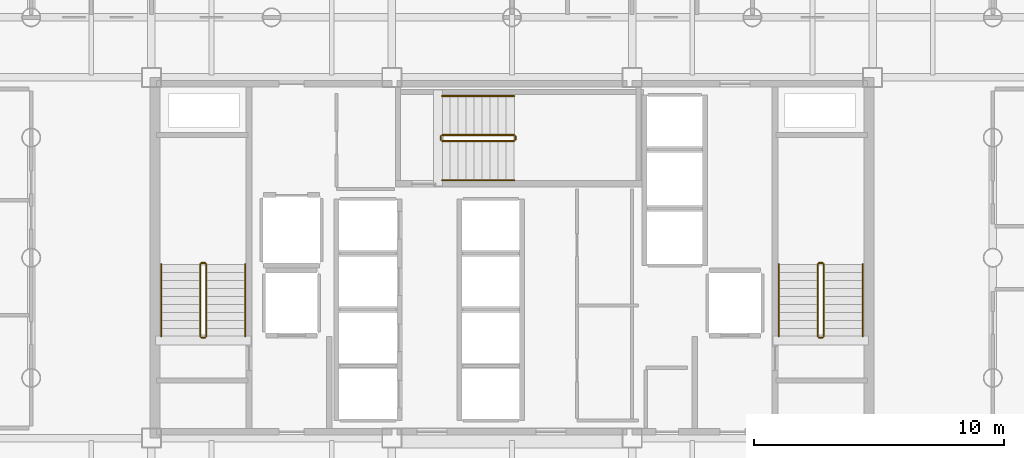
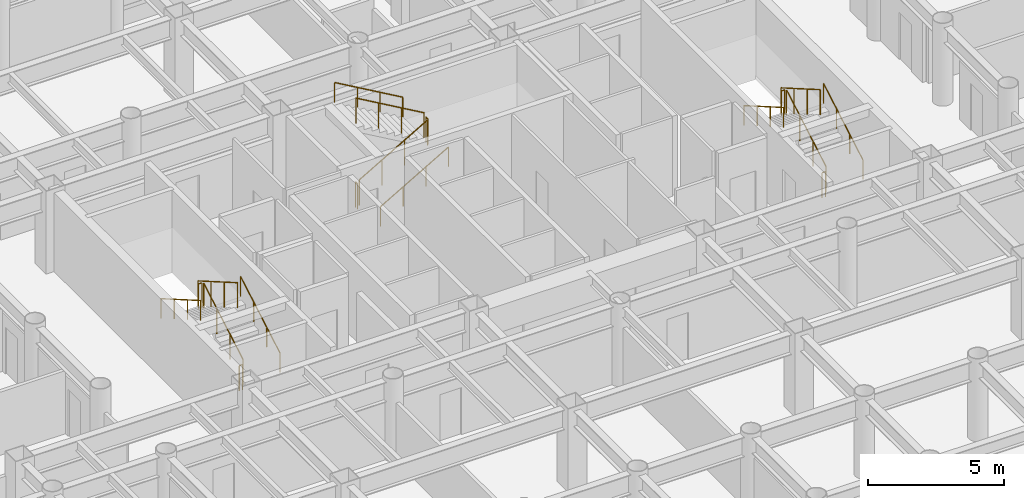
# One storey, part 19 of 19: 18 railings.
"""IFC4 building model written with IfcOpenShell, lengths in metres."""

from ifc_helpers import new_model, si_unit, direction, frame, origin, origin_2d, place, context, subcontext, project, spatial, circle, extrude, material, layer, layer_set, type_object, element, save


model = new_model("IFC4")

# Units and contexts
model_context = context("Model", 3, precision=1e-05, world=origin(), true_north=direction((0.0, 1.0)))
body_context = subcontext(model_context, "Body", "Model", "MODEL_VIEW")
ifc_project = project(units=[si_unit("LENGTHUNIT", "METRE"), si_unit("AREAUNIT", "SQUARE_METRE"), si_unit("VOLUMEUNIT", "CUBIC_METRE"), si_unit("PLANEANGLEUNIT", "RADIAN"), si_unit("MASSUNIT", "GRAM", prefix="KILO")], contexts=[model_context])

# Site, building, storey
site_placement = place(None, origin())
site = spatial("IfcSite", under=ifc_project, at=site_placement, CompositionType="ELEMENT")
building_placement = place(site_placement, origin())
building = spatial("IfcBuilding", under=site, at=building_placement, Name="Kallvorn Hotel Tower", CompositionType="ELEMENT")
storey_placement = place(building_placement, frame((0.0, 0.0, 67.0)))
storey = spatial("IfcBuildingStorey", under=building, at=storey_placement, Name="L15", CompositionType="ELEMENT", Elevation=67.0)

# Railings
ifc_material_1 = material(Name="Brushed stainless-steel tubular railing", Category="steel")
ifc_layer_1 = layer(ifc_material_1, 0.050048828125)
ifc_layer_set_1 = layer_set([ifc_layer_1], Name="RL_STAIR_GUARD")
railing_type_1 = type_object("IfcRailingType", Name="RL_STAIR_GUARD", PredefinedType="GUARDRAIL", material=ifc_layer_set_1)
railing_1_placement = place(storey_placement, frame((-12.2099609375, -3.139892578125, 0.18505859375)))
element("IfcRailing", 1, at=railing_1_placement, inside=storey, type_object=railing_type_1, Name="L15 ST1 stair guard 1", PredefinedType="GUARDRAIL", context=body_context, shape_type="SweptSolid", body=[
    extrude(circle(Radius=0.02392578125, at=origin_2d()), frame((0.0, 0.0, 1.1259765625), z_axis=(0.0, 0.865720918037, 0.500527014328), x_axis=(-1.0, 0.0, 0.0)), (0.0, 0.0, 1.0), 3.32666015625),
    extrude(circle(Radius=0.02099609375, at=origin_2d()), origin(), (0.0, 0.0, 1.0), 1.101806640625),
    extrude(circle(Radius=0.02099609375, at=origin_2d()), frame((0.0, 0.9599609375, 0.554931640625)), (0.0, 0.0, 1.0), 1.101806640625),
    extrude(circle(Radius=0.02099609375, at=origin_2d()), frame((0.0, 1.919921875, 1.110107421875)), (0.0, 0.0, 1.0), 1.101806640625),
    extrude(circle(Radius=0.02099609375, at=origin_2d()), frame((0.0, 2.8798828125, 1.6650390625)), (0.0, 0.0, 1.0), 1.101806640625),
])
railing_2_placement = place(storey_placement, frame((-12.260009765625, -0.2099609375, 1.85009765625)))
element("IfcRailing", 2, at=railing_2_placement, inside=storey, type_object=railing_type_1, Name="L15 ST1 stair guard 2", PredefinedType="GUARDRAIL", context=body_context, shape_type="SweptSolid", body=[
    extrude(circle(Radius=0.02392578125, at=origin_2d()), frame((0.0, 0.0, 1.1259765625), z_axis=(-1.0, 0.0, 0.0), x_axis=(0.0, -1.0, 0.0)), (0.0, 0.0, 1.0), 0.139892578125),
    extrude(circle(Radius=0.02099609375, at=origin_2d()), origin(), (0.0, 0.0, 1.0), 1.101806640625),
    extrude(circle(Radius=0.02099609375, at=origin_2d()), frame((-0.139892578125, 0.0, 0.0)), (0.0, 0.0, 1.0), 1.101806640625),
])
railing_3_placement = place(storey_placement, frame((-12.449951171875, -0.260009765625, 2.034912109375)))
element("IfcRailing", 3, at=railing_3_placement, inside=storey, type_object=railing_type_1, Name="L15 ST1 stair guard 3", PredefinedType="GUARDRAIL", context=body_context, shape_type="SweptSolid", body=[
    extrude(circle(Radius=0.02392578125, at=origin_2d()), frame((0.0, 0.0, 1.1259765625), z_axis=(0.0, -0.865720918037, 0.500527014328), x_axis=(1.0, 0.0, 0.0)), (0.0, 0.0, 1.0), 3.32666015625),
    extrude(circle(Radius=0.02099609375, at=origin_2d()), origin(), (0.0, 0.0, 1.0), 1.101806640625),
    extrude(circle(Radius=0.02099609375, at=origin_2d()), frame((0.0, -0.9599609375, 0.554931640625)), (0.0, 0.0, 1.0), 1.101806640625),
    extrude(circle(Radius=0.02099609375, at=origin_2d()), frame((0.0, -1.919921875, 1.110107421875)), (0.0, 0.0, 1.0), 1.101806640625),
    extrude(circle(Radius=0.02099609375, at=origin_2d()), frame((0.0, -2.8798828125, 1.6650390625)), (0.0, 0.0, 1.0), 1.101806640625),
])
railing_4_placement = place(storey_placement, frame((-12.260009765625, -3.18994140625, 0.0)))
element("IfcRailing", 4, at=railing_4_placement, inside=storey, type_object=railing_type_1, Name="L15 ST1 stair guard 4", PredefinedType="GUARDRAIL", context=body_context, shape_type="SweptSolid", body=[
    extrude(circle(Radius=0.02392578125, at=origin_2d()), frame((0.0, 0.0, 1.1259765625), z_axis=(-1.0, 0.0, 0.0), x_axis=(0.0, -1.0, 0.0)), (0.0, 0.0, 1.0), 0.139892578125),
    extrude(circle(Radius=0.02099609375, at=origin_2d()), origin(), (0.0, 0.0, 1.0), 1.101806640625),
    extrude(circle(Radius=0.02099609375, at=origin_2d()), frame((-0.139892578125, 0.0, 0.0)), (0.0, 0.0, 1.0), 1.101806640625),
])
railing_5_placement = place(storey_placement, frame((12.449951171875, -3.139892578125, 0.18505859375)))
element("IfcRailing", 5, at=railing_5_placement, inside=storey, type_object=railing_type_1, Name="L15 ST2 stair guard 1", PredefinedType="GUARDRAIL", context=body_context, shape_type="SweptSolid", body=[
    extrude(circle(Radius=0.02392578125, at=origin_2d()), frame((0.0, 0.0, 1.1259765625), z_axis=(0.0, 0.865720918037, 0.500527014328), x_axis=(-1.0, 0.0, 0.0)), (0.0, 0.0, 1.0), 3.32666015625),
    extrude(circle(Radius=0.02099609375, at=origin_2d()), origin(), (0.0, 0.0, 1.0), 1.101806640625),
    extrude(circle(Radius=0.02099609375, at=origin_2d()), frame((0.0, 0.9599609375, 0.554931640625)), (0.0, 0.0, 1.0), 1.101806640625),
    extrude(circle(Radius=0.02099609375, at=origin_2d()), frame((0.0, 1.919921875, 1.110107421875)), (0.0, 0.0, 1.0), 1.101806640625),
    extrude(circle(Radius=0.02099609375, at=origin_2d()), frame((0.0, 2.8798828125, 1.6650390625)), (0.0, 0.0, 1.0), 1.101806640625),
])
railing_6_placement = place(storey_placement, frame((12.39990234375, -0.2099609375, 1.85009765625)))
element("IfcRailing", 6, at=railing_6_placement, inside=storey, type_object=railing_type_1, Name="L15 ST2 stair guard 2", PredefinedType="GUARDRAIL", context=body_context, shape_type="SweptSolid", body=[
    extrude(circle(Radius=0.02392578125, at=origin_2d()), frame((0.0, 0.0, 1.1259765625), z_axis=(-1.0, 0.0, 0.0), x_axis=(0.0, -1.0, 0.0)), (0.0, 0.0, 1.0), 0.139892578125),
    extrude(circle(Radius=0.02099609375, at=origin_2d()), origin(), (0.0, 0.0, 1.0), 1.101806640625),
    extrude(circle(Radius=0.02099609375, at=origin_2d()), frame((-0.139892578125, 0.0, 0.0)), (0.0, 0.0, 1.0), 1.101806640625),
])
railing_7_placement = place(storey_placement, frame((12.2099609375, -0.260009765625, 2.034912109375)))
element("IfcRailing", 7, at=railing_7_placement, inside=storey, type_object=railing_type_1, Name="L15 ST2 stair guard 3", PredefinedType="GUARDRAIL", context=body_context, shape_type="SweptSolid", body=[
    extrude(circle(Radius=0.02392578125, at=origin_2d()), frame((0.0, 0.0, 1.1259765625), z_axis=(0.0, -0.865720918037, 0.500527014328), x_axis=(1.0, 0.0, 0.0)), (0.0, 0.0, 1.0), 3.32666015625),
    extrude(circle(Radius=0.02099609375, at=origin_2d()), origin(), (0.0, 0.0, 1.0), 1.101806640625),
    extrude(circle(Radius=0.02099609375, at=origin_2d()), frame((0.0, -0.9599609375, 0.554931640625)), (0.0, 0.0, 1.0), 1.101806640625),
    extrude(circle(Radius=0.02099609375, at=origin_2d()), frame((0.0, -1.919921875, 1.110107421875)), (0.0, 0.0, 1.0), 1.101806640625),
    extrude(circle(Radius=0.02099609375, at=origin_2d()), frame((0.0, -2.8798828125, 1.6650390625)), (0.0, 0.0, 1.0), 1.101806640625),
])
railing_8_placement = place(storey_placement, frame((12.39990234375, -3.18994140625, 0.0)))
element("IfcRailing", 8, at=railing_8_placement, inside=storey, type_object=railing_type_1, Name="L15 ST2 stair guard 4", PredefinedType="GUARDRAIL", context=body_context, shape_type="SweptSolid", body=[
    extrude(circle(Radius=0.02392578125, at=origin_2d()), frame((0.0, 0.0, 1.1259765625), z_axis=(-1.0, 0.0, 0.0), x_axis=(0.0, -1.0, 0.0)), (0.0, 0.0, 1.0), 0.139892578125),
    extrude(circle(Radius=0.02099609375, at=origin_2d()), origin(), (0.0, 0.0, 1.0), 1.101806640625),
    extrude(circle(Radius=0.02099609375, at=origin_2d()), frame((-0.139892578125, 0.0, 0.0)), (0.0, 0.0, 1.0), 1.101806640625),
])
railing_9_placement = place(storey_placement, frame((-2.7900390625, 4.659912109375, 0.18505859375)))
element("IfcRailing", 9, at=railing_9_placement, inside=storey, type_object=railing_type_1, Name="L15 ST3 stair guard 1", PredefinedType="GUARDRAIL", context=body_context, shape_type="SweptSolid", body=[
    extrude(circle(Radius=0.02392578125, at=origin_2d()), frame((0.0, 0.0, 1.1259765625), z_axis=(0.865739302748, 0.0, 0.50049521444), x_axis=(0.0, 1.0, 0.0)), (0.0, 0.0, 1.0), 3.326904296875),
    extrude(circle(Radius=0.02099609375, at=origin_2d()), origin(), (0.0, 0.0, 1.0), 1.101806640625),
    extrude(circle(Radius=0.02099609375, at=origin_2d()), frame((0.9599609375, 0.0, 0.554931640625)), (0.0, 0.0, 1.0), 1.101806640625),
    extrude(circle(Radius=0.02099609375, at=origin_2d()), frame((1.920166015625, 0.0, 1.110107421875)), (0.0, 0.0, 1.0), 1.101806640625),
    extrude(circle(Radius=0.02099609375, at=origin_2d()), frame((2.880126953125, 0.0, 1.6650390625)), (0.0, 0.0, 1.0), 1.101806640625),
])
railing_10_placement = place(storey_placement, frame((0.139892578125, 4.7099609375, 1.85009765625)))
element("IfcRailing", 10, at=railing_10_placement, inside=storey, type_object=railing_type_1, Name="L15 ST3 stair guard 2", PredefinedType="GUARDRAIL", context=body_context, shape_type="SweptSolid", body=[
    extrude(circle(Radius=0.02392578125, at=origin_2d()), frame((0.0, 0.0, 1.1259765625), z_axis=(0.0, 1.0, 0.0), x_axis=(-1.0, 0.0, 0.0)), (0.0, 0.0, 1.0), 0.14013671875),
    extrude(circle(Radius=0.02099609375, at=origin_2d()), origin(), (0.0, 0.0, 1.0), 1.101806640625),
    extrude(circle(Radius=0.02099609375, at=origin_2d()), frame((0.0, 0.14013671875, 0.0)), (0.0, 0.0, 1.0), 1.101806640625),
])
railing_11_placement = place(storey_placement, frame((0.090087890625, 4.89990234375, 2.034912109375)))
element("IfcRailing", 11, at=railing_11_placement, inside=storey, type_object=railing_type_1, Name="L15 ST3 stair guard 3", PredefinedType="GUARDRAIL", context=body_context, shape_type="SweptSolid", body=[
    extrude(circle(Radius=0.02392578125, at=origin_2d()), frame((0.0, 0.0, 1.1259765625), z_axis=(-0.865739302748, 0.0, 0.50049521444), x_axis=(0.0, -1.0, 0.0)), (0.0, 0.0, 1.0), 3.326904296875),
    extrude(circle(Radius=0.02099609375, at=origin_2d()), origin(), (0.0, 0.0, 1.0), 1.101806640625),
    extrude(circle(Radius=0.02099609375, at=origin_2d()), frame((-0.9599609375, 0.0, 0.554931640625)), (0.0, 0.0, 1.0), 1.101806640625),
    extrude(circle(Radius=0.02099609375, at=origin_2d()), frame((-1.920166015625, 0.0, 1.110107421875)), (0.0, 0.0, 1.0), 1.101806640625),
    extrude(circle(Radius=0.02099609375, at=origin_2d()), frame((-2.880126953125, 0.0, 1.6650390625)), (0.0, 0.0, 1.0), 1.101806640625),
])
railing_12_placement = place(storey_placement, frame((-2.840087890625, 4.7099609375, 0.0)))
element("IfcRailing", 12, at=railing_12_placement, inside=storey, type_object=railing_type_1, Name="L15 ST3 stair guard 4", PredefinedType="GUARDRAIL", context=body_context, shape_type="SweptSolid", body=[
    extrude(circle(Radius=0.02392578125, at=origin_2d()), frame((0.0, 0.0, 1.1259765625), z_axis=(0.0, 1.0, 0.0), x_axis=(-1.0, 0.0, 0.0)), (0.0, 0.0, 1.0), 0.14013671875),
    extrude(circle(Radius=0.02099609375, at=origin_2d()), origin(), (0.0, 0.0, 1.0), 1.101806640625),
    extrude(circle(Radius=0.02099609375, at=origin_2d()), frame((0.0, 0.14013671875, 0.0)), (0.0, 0.0, 1.0), 1.101806640625),
])
ifc_material_2 = material(Name="Brushed stainless-steel tubular railing", Category="steel")
ifc_layer_2 = layer(ifc_material_2, 0.050048828125)
ifc_layer_set_2 = layer_set([ifc_layer_2], Name="RL_STAIR_HAND")
railing_type_2 = type_object("IfcRailingType", Name="RL_STAIR_HAND", PredefinedType="HANDRAIL", material=ifc_layer_set_2)
railing_13_placement = place(storey_placement, frame((-10.64990234375, -3.139892578125, 0.18505859375)))
element("IfcRailing", 13, at=railing_13_placement, inside=storey, type_object=railing_type_2, Name="L15 ST1 stair handrail 1", PredefinedType="HANDRAIL", context=body_context, shape_type="SweptSolid", body=[
    extrude(circle(Radius=0.02392578125, at=origin_2d()), frame((0.0, 0.0, 0.8759765625), z_axis=(0.0, 0.865720918037, 0.500527014328), x_axis=(-1.0, 0.0, 0.0)), (0.0, 0.0, 1.0), 3.32666015625),
    extrude(circle(Radius=0.02099609375, at=origin_2d()), origin(), (0.0, 0.0, 1.0), 0.851806640625),
    extrude(circle(Radius=0.02099609375, at=origin_2d()), frame((0.0, 0.9599609375, 0.554931640625)), (0.0, 0.0, 1.0), 0.851806640625),
    extrude(circle(Radius=0.02099609375, at=origin_2d()), frame((0.0, 1.919921875, 1.110107421875)), (0.0, 0.0, 1.0), 0.851806640625),
    extrude(circle(Radius=0.02099609375, at=origin_2d()), frame((0.0, 2.8798828125, 1.6650390625)), (0.0, 0.0, 1.0), 0.851806640625),
])
railing_14_placement = place(storey_placement, frame((-14.010009765625, -0.260009765625, 2.034912109375)))
element("IfcRailing", 14, at=railing_14_placement, inside=storey, type_object=railing_type_2, Name="L15 ST1 stair handrail 2", PredefinedType="HANDRAIL", context=body_context, shape_type="SweptSolid", body=[
    extrude(circle(Radius=0.02392578125, at=origin_2d()), frame((0.0, 0.0, 0.8759765625), z_axis=(0.0, -0.865720918037, 0.500527014328), x_axis=(1.0, 0.0, 0.0)), (0.0, 0.0, 1.0), 3.32666015625),
    extrude(circle(Radius=0.02099609375, at=origin_2d()), origin(), (0.0, 0.0, 1.0), 0.851806640625),
    extrude(circle(Radius=0.02099609375, at=origin_2d()), frame((0.0, -0.9599609375, 0.554931640625)), (0.0, 0.0, 1.0), 0.851806640625),
    extrude(circle(Radius=0.02099609375, at=origin_2d()), frame((0.0, -1.919921875, 1.110107421875)), (0.0, 0.0, 1.0), 0.851806640625),
    extrude(circle(Radius=0.02099609375, at=origin_2d()), frame((0.0, -2.8798828125, 1.6650390625)), (0.0, 0.0, 1.0), 0.851806640625),
])
railing_15_placement = place(storey_placement, frame((14.010009765625, -3.139892578125, 0.18505859375)))
element("IfcRailing", 15, at=railing_15_placement, inside=storey, type_object=railing_type_2, Name="L15 ST2 stair handrail 1", PredefinedType="HANDRAIL", context=body_context, shape_type="SweptSolid", body=[
    extrude(circle(Radius=0.02392578125, at=origin_2d()), frame((0.0, 0.0, 0.8759765625), z_axis=(0.0, 0.865720918037, 0.500527014328), x_axis=(-1.0, 0.0, 0.0)), (0.0, 0.0, 1.0), 3.32666015625),
    extrude(circle(Radius=0.02099609375, at=origin_2d()), origin(), (0.0, 0.0, 1.0), 0.851806640625),
    extrude(circle(Radius=0.02099609375, at=origin_2d()), frame((0.0, 0.9599609375, 0.554931640625)), (0.0, 0.0, 1.0), 0.851806640625),
    extrude(circle(Radius=0.02099609375, at=origin_2d()), frame((0.0, 1.919921875, 1.110107421875)), (0.0, 0.0, 1.0), 0.851806640625),
    extrude(circle(Radius=0.02099609375, at=origin_2d()), frame((0.0, 2.8798828125, 1.6650390625)), (0.0, 0.0, 1.0), 0.851806640625),
])
railing_16_placement = place(storey_placement, frame((10.64990234375, -0.260009765625, 2.034912109375)))
element("IfcRailing", 16, at=railing_16_placement, inside=storey, type_object=railing_type_2, Name="L15 ST2 stair handrail 2", PredefinedType="HANDRAIL", context=body_context, shape_type="SweptSolid", body=[
    extrude(circle(Radius=0.02392578125, at=origin_2d()), frame((0.0, 0.0, 0.8759765625), z_axis=(0.0, -0.865720918037, 0.500527014328), x_axis=(1.0, 0.0, 0.0)), (0.0, 0.0, 1.0), 3.32666015625),
    extrude(circle(Radius=0.02099609375, at=origin_2d()), origin(), (0.0, 0.0, 1.0), 0.851806640625),
    extrude(circle(Radius=0.02099609375, at=origin_2d()), frame((0.0, -0.9599609375, 0.554931640625)), (0.0, 0.0, 1.0), 0.851806640625),
    extrude(circle(Radius=0.02099609375, at=origin_2d()), frame((0.0, -1.919921875, 1.110107421875)), (0.0, 0.0, 1.0), 0.851806640625),
    extrude(circle(Radius=0.02099609375, at=origin_2d()), frame((0.0, -2.8798828125, 1.6650390625)), (0.0, 0.0, 1.0), 0.851806640625),
])
railing_17_placement = place(storey_placement, frame((-2.7900390625, 3.10009765625, 0.18505859375)))
element("IfcRailing", 17, at=railing_17_placement, inside=storey, type_object=railing_type_2, Name="L15 ST3 stair handrail 1", PredefinedType="HANDRAIL", context=body_context, shape_type="SweptSolid", body=[
    extrude(circle(Radius=0.02392578125, at=origin_2d()), frame((0.0, 0.0, 0.8759765625), z_axis=(0.865739302748, 0.0, 0.50049521444), x_axis=(0.0, 1.0, 0.0)), (0.0, 0.0, 1.0), 3.326904296875),
    extrude(circle(Radius=0.02099609375, at=origin_2d()), origin(), (0.0, 0.0, 1.0), 0.851806640625),
    extrude(circle(Radius=0.02099609375, at=origin_2d()), frame((0.9599609375, 0.0, 0.554931640625)), (0.0, 0.0, 1.0), 0.851806640625),
    extrude(circle(Radius=0.02099609375, at=origin_2d()), frame((1.920166015625, 0.0, 1.110107421875)), (0.0, 0.0, 1.0), 0.851806640625),
    extrude(circle(Radius=0.02099609375, at=origin_2d()), frame((2.880126953125, 0.0, 1.6650390625)), (0.0, 0.0, 1.0), 0.851806640625),
])
railing_18_placement = place(storey_placement, frame((0.090087890625, 6.4599609375, 2.034912109375)))
element("IfcRailing", 18, at=railing_18_placement, inside=storey, type_object=railing_type_2, Name="L15 ST3 stair handrail 2", PredefinedType="HANDRAIL", context=body_context, shape_type="SweptSolid", body=[
    extrude(circle(Radius=0.02392578125, at=origin_2d()), frame((0.0, 0.0, 0.8759765625), z_axis=(-0.865739302748, 0.0, 0.50049521444), x_axis=(0.0, -1.0, 0.0)), (0.0, 0.0, 1.0), 3.326904296875),
    extrude(circle(Radius=0.02099609375, at=origin_2d()), origin(), (0.0, 0.0, 1.0), 0.851806640625),
    extrude(circle(Radius=0.02099609375, at=origin_2d()), frame((-0.9599609375, 0.0, 0.554931640625)), (0.0, 0.0, 1.0), 0.851806640625),
    extrude(circle(Radius=0.02099609375, at=origin_2d()), frame((-1.920166015625, 0.0, 1.110107421875)), (0.0, 0.0, 1.0), 0.851806640625),
    extrude(circle(Radius=0.02099609375, at=origin_2d()), frame((-2.880126953125, 0.0, 1.6650390625)), (0.0, 0.0, 1.0), 0.851806640625),
])

save(model, "model.ifc")
